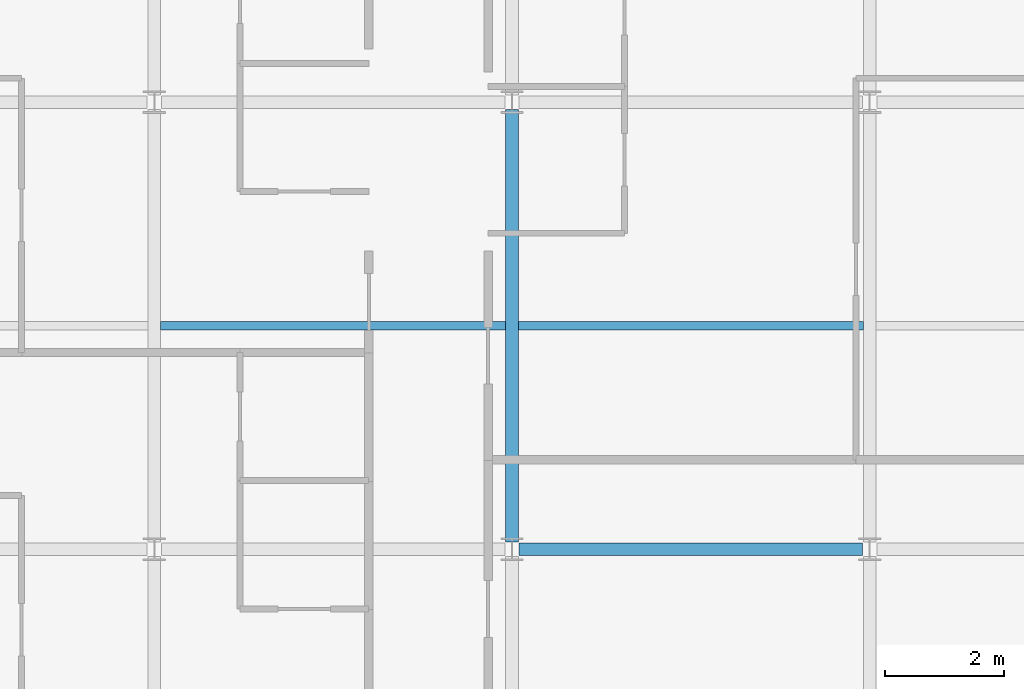
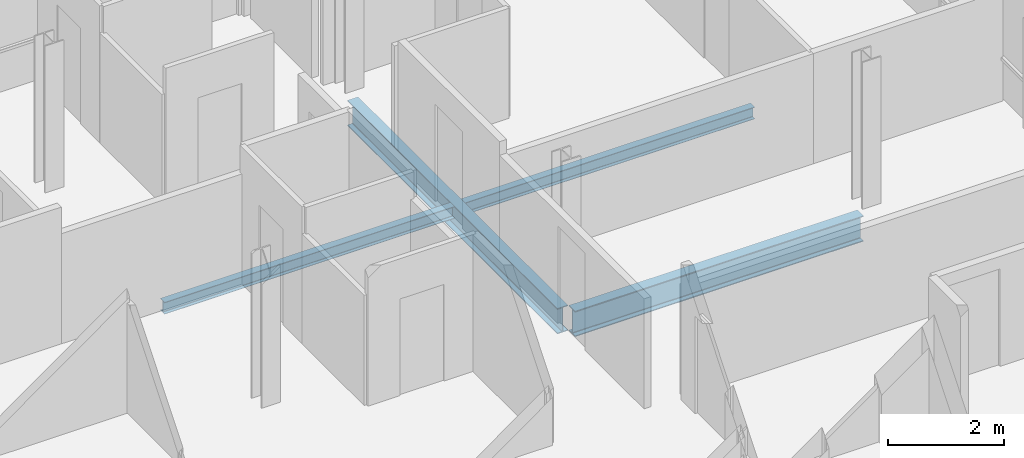
# One storey, part 7 of 29: 4 beams.
"""IFC4 building model written with IfcOpenShell, lengths in metres."""

from ifc_helpers import new_model, si_unit, direction, frame, origin, origin_2d, place, context, subcontext, project, spatial, i_section, extrude, material, material_profile, profile_set, type_object, element, save


model = new_model("IFC4")

# Units and contexts
model_context = context("Model", 3, precision=1e-05, world=origin(), true_north=direction((0.0, 1.0)))
body_context = subcontext(model_context, "Body", "Model", "MODEL_VIEW")
ifc_project = project(units=[si_unit("LENGTHUNIT", "METRE"), si_unit("AREAUNIT", "SQUARE_METRE"), si_unit("VOLUMEUNIT", "CUBIC_METRE"), si_unit("PLANEANGLEUNIT", "RADIAN"), si_unit("MASSUNIT", "GRAM", prefix="KILO")], contexts=[model_context])

# Site, building, storey
site_placement = place(None, origin())
site = spatial("IfcSite", under=ifc_project, at=site_placement, CompositionType="ELEMENT")
building_placement = place(site_placement, origin())
building = spatial("IfcBuilding", under=site, at=building_placement, Name="Brevholm Reach", CompositionType="ELEMENT")
storey_placement = place(building_placement, frame((0.0, 0.0, 201.800048828125)))
storey = spatial("IfcBuildingStorey", under=building, at=storey_placement, Name="L61", CompositionType="ELEMENT", Elevation=201.800048828125)

# Beams
ifc_material_1 = material(Name="Structural Steel S355J2", Category="steel")
ifc_material_profile_1 = material_profile(ifc_material_1, i_section(OverallWidth=0.14599609375, OverallDepth=0.25146484375, WebThickness=0.006103515625, FlangeThickness=0.008544921875, FilletRadius=0.007568359375, at=origin_2d()), Name="UKB 254x146x31")
ifc_profile_set_1 = profile_set([ifc_material_profile_1], Name="Structural Steel S355J2")
beam_type_1 = type_object("IfcBeamType", Name="BM-B254", PredefinedType="BEAM", material=ifc_profile_set_1)
for number, where, z_axis, x_axis, name in (
    (1, (6.10546875, 19.75, -0.335693359375), (1.0, 0.0, 0.0), (0.0, 1.0, 0.0), "L61 Composite Secondary Floor Beam"),
    (2, (12.10546875, 19.75, -0.335693359375), (1.0, 0.0, 0.0), (0.0, 1.0, 0.0), "L61 Composite Secondary Floor Beam"),
):
    element("IfcBeam", number, at=place(storey_placement, frame(where, z_axis=z_axis, x_axis=x_axis)), inside=storey, type_object=beam_type_1, Name=name, PredefinedType="BEAM", context=body_context, shape_type="SweptSolid", body=[
        extrude(i_section(OverallWidth=0.14599609375, OverallDepth=0.25146484375, WebThickness=0.006103515625, FlangeThickness=0.008544921875, FilletRadius=0.007568359375, at=origin_2d()), origin(), (0.0, 0.0, 1.0), 5.7890625),
    ])
ifc_material_2 = material(Name="Structural Steel S355J2", Category="steel")
ifc_material_profile_2 = material_profile(ifc_material_2, i_section(OverallWidth=0.210693359375, OverallDepth=0.53955078125, WebThickness=0.01171875, FlangeThickness=0.018798828125, FilletRadius=0.0126953125, at=origin_2d()), Name="UKB 533x210x109")
ifc_profile_set_2 = profile_set([ifc_material_profile_2], Name="Structural Steel S355J2")
beam_type_2 = type_object("IfcBeamType", Name="BM-SP539", PredefinedType="SPANDREL", material=ifc_profile_set_2)
beam_1_placement = place(storey_placement, frame((12.1201171875, 16.0, -0.479736328125), z_axis=(1.0, 0.0, 0.0), x_axis=(0.0, 1.0, 0.0)))
element("IfcBeam", 3, at=beam_1_placement, inside=storey, type_object=beam_type_2, Name="L61 SP-01B Framing Beam", PredefinedType="SPANDREL", context=body_context, shape_type="SweptSolid", body=[
    extrude(i_section(OverallWidth=0.210693359375, OverallDepth=0.53955078125, WebThickness=0.01171875, FlangeThickness=0.018798828125, FilletRadius=0.0126953125, at=origin_2d()), origin(), (0.0, 0.0, 1.0), 5.759765625),
])
beam_2_placement = place(storey_placement, frame((12.0, 16.1201171875, -0.479736328125), z_axis=(0.0, 1.0, 0.0), x_axis=(-1.0, 0.0, 0.0)))
element("IfcBeam", 4, at=beam_2_placement, inside=storey, type_object=beam_type_2, Name="L61 SP-01B Framing Beam", PredefinedType="SPANDREL", context=body_context, shape_type="SweptSolid", body=[
    extrude(i_section(OverallWidth=0.210693359375, OverallDepth=0.53955078125, WebThickness=0.01171875, FlangeThickness=0.018798828125, FilletRadius=0.0126953125, at=origin_2d()), origin(), (0.0, 0.0, 1.0), 7.259765625),
])

save(model, "model.ifc")
